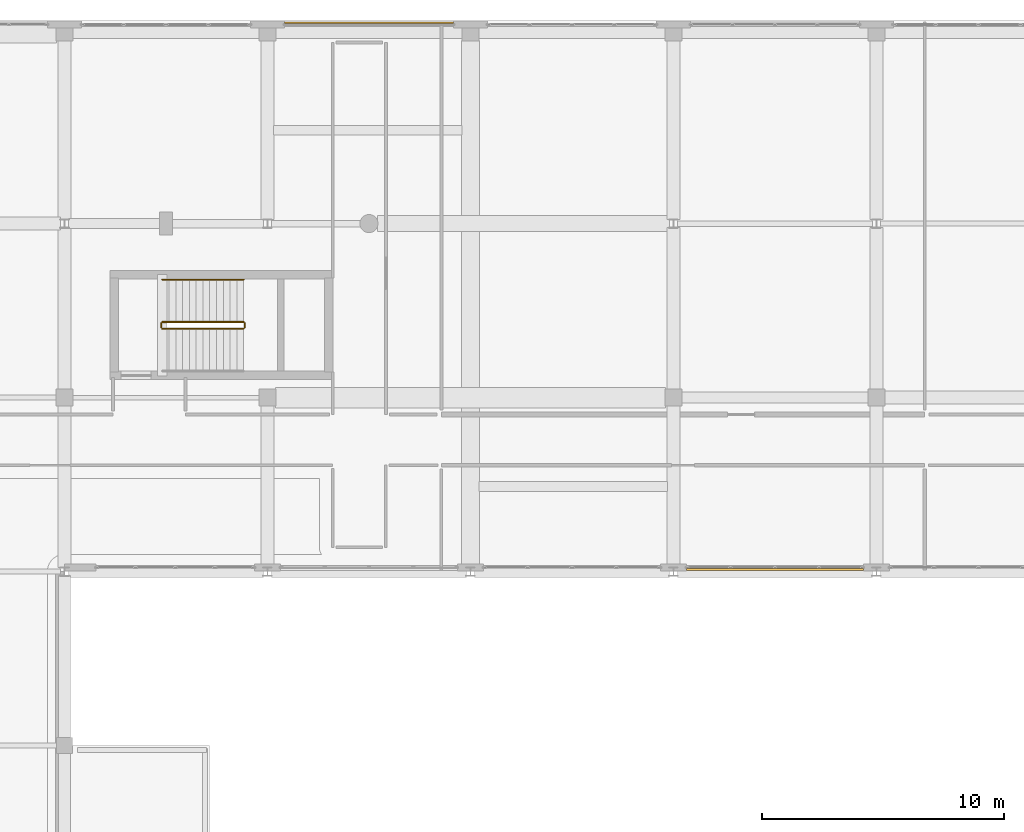
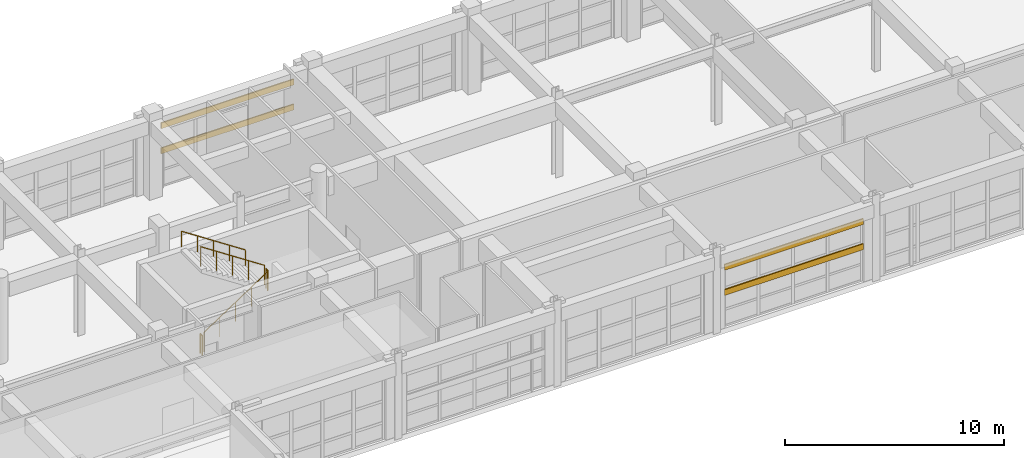
# One storey, part 122 of 123: 5 railings, 4 shading devices.
"""IFC4 building model written with IfcOpenShell, lengths in metres."""

from ifc_helpers import new_model, si_unit, direction, frame, origin, origin_2d, place, context, subcontext, project, spatial, hollow_rectangle, circle, extrude, material, material_profile, profile_set, type_object, element, save


model = new_model("IFC4")

# Units and contexts
model_context = context("Model", 3, precision=1e-05, world=origin(), true_north=direction((0.0, 1.0)))
body_context = subcontext(model_context, "Body", "Model", "MODEL_VIEW")
ifc_project = project(units=[si_unit("LENGTHUNIT", "METRE"), si_unit("AREAUNIT", "SQUARE_METRE"), si_unit("VOLUMEUNIT", "CUBIC_METRE"), si_unit("PLANEANGLEUNIT", "RADIAN"), si_unit("MASSUNIT", "GRAM", prefix="KILO")], contexts=[model_context])

# Site, building, storey
site_placement = place(None, origin())
site = spatial("IfcSite", under=ifc_project, at=site_placement, CompositionType="ELEMENT")
building_placement = place(site_placement, origin())
building = spatial("IfcBuilding", under=site, at=building_placement, Name="Quendrovan Civic Courthouse", CompositionType="ELEMENT")
storey_placement = place(building_placement, frame((0.0, 0.0, 5.39990234375)))
storey = spatial("IfcBuildingStorey", under=building, at=storey_placement, Name="L02", CompositionType="ELEMENT", Elevation=5.39990234375)

# Railings
ifc_material_1 = material(Name="Painted galvanized steel", Category="steel")
railing_type_1 = type_object("IfcRailingType", Name="RL-STR-GUARD1100", PredefinedType="GUARDRAIL", material=ifc_material_1)
railing_1_placement = place(storey_placement, frame((113.25, 97.64990234375, 0.184814453125)))
element("IfcRailing", 1, at=railing_1_placement, inside=storey, type_object=railing_type_1, Name="L02 ST6 stair guard 1", PredefinedType="GUARDRAIL", context=body_context, shape_type="SweptSolid", body=[
    extrude(circle(Radius=0.02392578125, at=origin_2d()), frame((0.0, 0.0, 1.076171875), z_axis=(0.834876476806, 0.0, 0.550437342915), x_axis=(0.0, 1.0, 0.0)), (0.0, 0.0, 1.0), 4.024658203125),
    extrude(circle(Radius=0.02099609375, at=origin_2d()), origin(), (0.0, 0.0, 1.0), 1.052001953125),
    extrude(circle(Radius=0.02099609375, at=origin_2d()), frame((0.840087890625, 0.0, 0.5537109375)), (0.0, 0.0, 1.0), 1.052001953125),
    extrude(circle(Radius=0.02099609375, at=origin_2d()), frame((1.68017578125, 0.0, 1.107666015625)), (0.0, 0.0, 1.0), 1.052001953125),
    extrude(circle(Radius=0.02099609375, at=origin_2d()), frame((2.52001953125, 0.0, 1.66162109375)), (0.0, 0.0, 1.0), 1.052001953125),
    extrude(circle(Radius=0.02099609375, at=origin_2d()), frame((3.360107421875, 0.0, 2.21533203125)), (0.0, 0.0, 1.0), 1.052001953125),
])
railing_2_placement = place(storey_placement, frame((116.659912109375, 97.699951171875, 2.400146484375)))
element("IfcRailing", 2, at=railing_2_placement, inside=storey, type_object=railing_type_1, Name="L02 ST6 stair guard 2", PredefinedType="GUARDRAIL", context=body_context, shape_type="SweptSolid", body=[
    extrude(circle(Radius=0.02392578125, at=origin_2d()), frame((0.0, 0.0, 1.076171875), z_axis=(0.0, 1.0, 0.0), x_axis=(-1.0, 0.0, 0.0)), (0.0, 0.0, 1.0), 0.179931640625),
    extrude(circle(Radius=0.02099609375, at=origin_2d()), origin(), (0.0, 0.0, 1.0), 1.052001953125),
    extrude(circle(Radius=0.02099609375, at=origin_2d()), frame((0.0, 0.179931640625, 0.0)), (0.0, 0.0, 1.0), 1.052001953125),
])
railing_3_placement = place(storey_placement, frame((116.610107421875, 97.929931640625, 2.584716796875)))
element("IfcRailing", 3, at=railing_3_placement, inside=storey, type_object=railing_type_1, Name="L02 ST6 stair guard 3", PredefinedType="GUARDRAIL", context=body_context, shape_type="SweptSolid", body=[
    extrude(circle(Radius=0.02392578125, at=origin_2d()), frame((0.0, 0.0, 1.076171875), z_axis=(-0.834876476806, 0.0, 0.550437342915), x_axis=(0.0, -1.0, 0.0)), (0.0, 0.0, 1.0), 4.024658203125),
    extrude(circle(Radius=0.02099609375, at=origin_2d()), origin(), (0.0, 0.0, 1.0), 1.052001953125),
    extrude(circle(Radius=0.02099609375, at=origin_2d()), frame((-0.840087890625, 0.0, 0.5537109375)), (0.0, 0.0, 1.0), 1.052001953125),
    extrude(circle(Radius=0.02099609375, at=origin_2d()), frame((-1.68017578125, 0.0, 1.107666015625)), (0.0, 0.0, 1.0), 1.052001953125),
    extrude(circle(Radius=0.02099609375, at=origin_2d()), frame((-2.52001953125, 0.0, 1.66162109375)), (0.0, 0.0, 1.0), 1.052001953125),
    extrude(circle(Radius=0.02099609375, at=origin_2d()), frame((-3.360107421875, 0.0, 2.21533203125)), (0.0, 0.0, 1.0), 1.052001953125),
])
railing_4_placement = place(storey_placement, frame((113.199951171875, 97.699951171875, 0.0)))
element("IfcRailing", 4, at=railing_4_placement, inside=storey, type_object=railing_type_1, Name="L02 ST6 stair guard 4", PredefinedType="GUARDRAIL", context=body_context, shape_type="SweptSolid", body=[
    extrude(circle(Radius=0.02392578125, at=origin_2d()), frame((0.0, 0.0, 1.076171875), z_axis=(0.0, 1.0, 0.0), x_axis=(-1.0, 0.0, 0.0)), (0.0, 0.0, 1.0), 0.179931640625),
    extrude(circle(Radius=0.02099609375, at=origin_2d()), origin(), (0.0, 0.0, 1.0), 1.052001953125),
    extrude(circle(Radius=0.02099609375, at=origin_2d()), frame((0.0, 0.179931640625, 0.0)), (0.0, 0.0, 1.0), 1.052001953125),
])
ifc_material_2 = material(Name="Bronze anodised aluminium", Category="aluminium")
railing_type_2 = type_object("IfcRailingType", Name="RL-STR-HAND900", PredefinedType="HANDRAIL", material=ifc_material_2)
railing_5_placement = place(storey_placement, frame((116.610107421875, 99.679931640625, 2.584716796875)))
element("IfcRailing", 5, at=railing_5_placement, inside=storey, type_object=railing_type_2, Name="L02 ST6 stair handrail 2", PredefinedType="HANDRAIL", context=body_context, shape_type="SweptSolid", body=[
    extrude(circle(Radius=0.02392578125, at=origin_2d()), frame((0.0, 0.0, 0.8759765625), z_axis=(-0.834876476806, 0.0, 0.550437342915), x_axis=(0.0, -1.0, 0.0)), (0.0, 0.0, 1.0), 4.024658203125),
    extrude(circle(Radius=0.02099609375, at=origin_2d()), origin(), (0.0, 0.0, 1.0), 0.851806640625),
    extrude(circle(Radius=0.02099609375, at=origin_2d()), frame((-0.840087890625, 0.0, 0.5537109375)), (0.0, 0.0, 1.0), 0.851806640625),
    extrude(circle(Radius=0.02099609375, at=origin_2d()), frame((-1.68017578125, 0.0, 1.107666015625)), (0.0, 0.0, 1.0), 0.851806640625),
    extrude(circle(Radius=0.02099609375, at=origin_2d()), frame((-2.52001953125, 0.0, 1.66162109375)), (0.0, 0.0, 1.0), 0.851806640625),
    extrude(circle(Radius=0.02099609375, at=origin_2d()), frame((-3.360107421875, 0.0, 2.21533203125)), (0.0, 0.0, 1.0), 0.851806640625),
])

# Shading devices
ifc_material_profile = material_profile(ifc_material_2, hollow_rectangle(XDim=0.06494140625, YDim=0.320068359375, WallThickness=0.0048828125, at=origin_2d()), Name="AL-LOUVRE-65x320")
ifc_profile_set = profile_set([ifc_material_profile], Name="Bronze anodised aluminium")
shading_device_type = type_object("IfcShadingDeviceType", Name="SHD-STORM-LOUVRE", PredefinedType="JALOUSIE", material=ifc_profile_set)
for number, where, z_axis, x_axis, name in (
    (6, (118.300048828125, 110.31494140625, 1.9501953125), (1.0, 0.0, 0.0), (0.0, 1.0, 0.0), "L02 Bronze Hurricane Storm Louvre SLV-091"),
    (7, (118.300048828125, 110.31494140625, 3.35009765625), (1.0, 0.0, 0.0), (0.0, 1.0, 0.0), "L02 Bronze Hurricane Storm Louvre SLV-092"),
):
    element("IfcShadingDevice", number, at=place(storey_placement, frame(where, z_axis=z_axis, x_axis=x_axis)), inside=storey, type_object=shading_device_type, Name=name, PredefinedType="JALOUSIE", context=body_context, shape_type="SweptSolid", body=[
        extrude(hollow_rectangle(XDim=0.06494140625, YDim=0.320068359375, WallThickness=0.0048828125, at=origin_2d()), origin(), (0.0, 0.0, 1.0), 7.0),
    ])
for number, where, z_axis, x_axis, name in (
    (8, (142.262939453125, 87.68505859375, 1.9501953125), (-1.0, 0.0, 0.0), (0.0, -1.0, 0.0), "L02 Bronze Hurricane Storm Louvre SLV-101"),
    (9, (142.262939453125, 87.68505859375, 3.35009765625), (-1.0, 0.0, 0.0), (0.0, -1.0, 0.0), "L02 Bronze Hurricane Storm Louvre SLV-102"),
):
    element("IfcShadingDevice", number, at=place(storey_placement, frame(where, z_axis=z_axis, x_axis=x_axis)), inside=storey, type_object=shading_device_type, Name=name, PredefinedType="JALOUSIE", context=body_context, shape_type="SweptSolid", body=[
        extrude(hollow_rectangle(XDim=0.06494140625, YDim=0.320068359375, WallThickness=0.0048828125, at=origin_2d()), origin(), (0.0, 0.0, 1.0), 7.325927734375),
    ])

save(model, "model.ifc")
